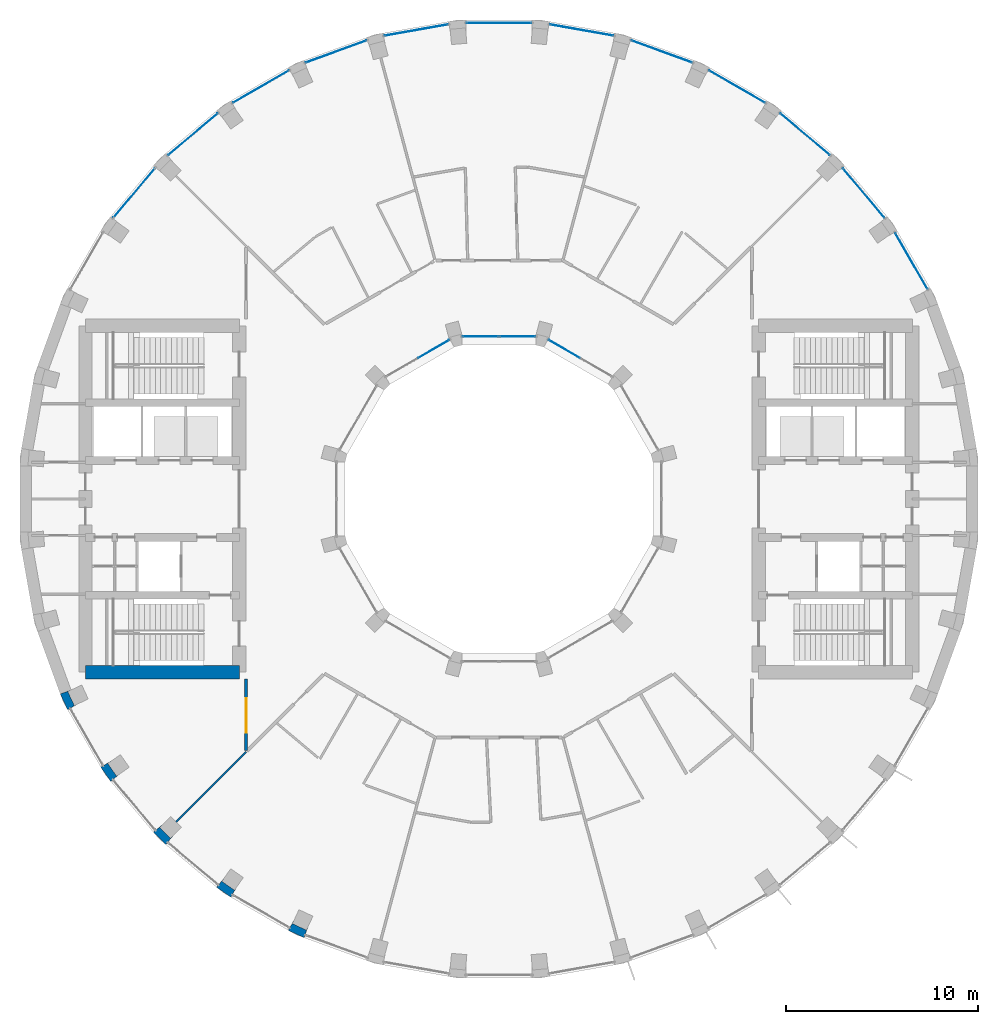
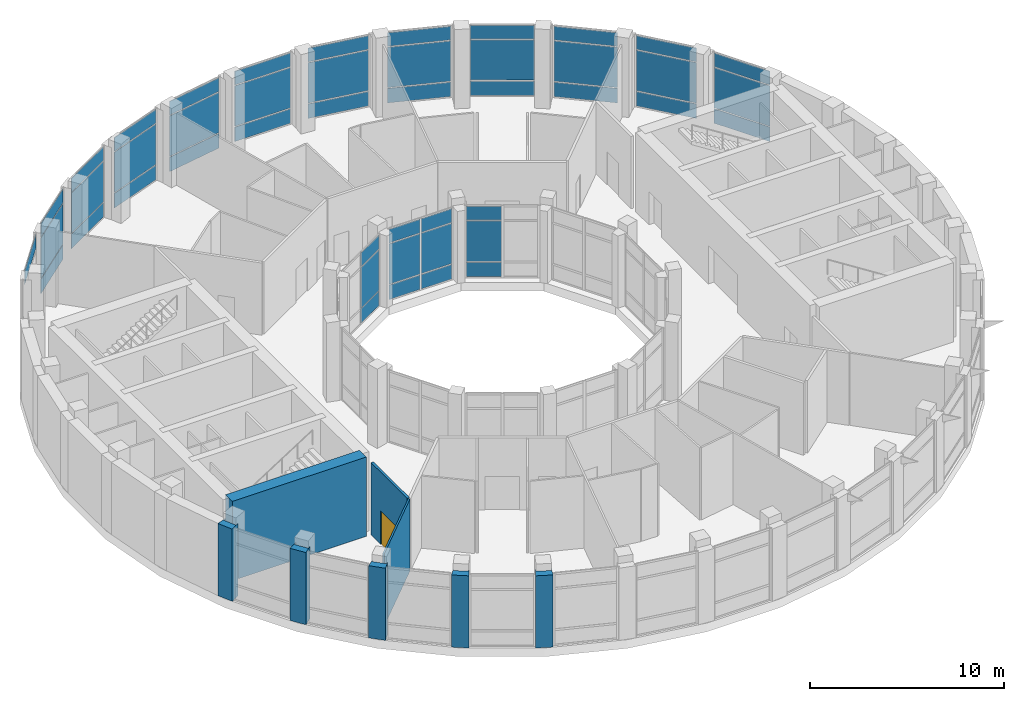
# One storey, part 10 of 18: 46 plates, 8 walls, 1 door, 1 opening, 15 elements without a shape of their own.
"""IFC4 building model written with IfcOpenShell, lengths in metres."""

from ifc_helpers import new_model, si_unit, direction, frame, frame_2d, origin, origin_2d, place, context, subcontext, project, spatial, polyline, rectangle, outline, extrude, material, layer, layer_set, type_object, element, fill, aggregate, save


model = new_model("IFC4")

# Units and contexts
model_context = context("Model", 3, precision=1e-05, world=origin(), true_north=direction((0.0, 1.0)))
body_context = subcontext(model_context, "Body", "Model", "MODEL_VIEW")
ifc_project = project(units=[si_unit("LENGTHUNIT", "METRE"), si_unit("AREAUNIT", "SQUARE_METRE"), si_unit("VOLUMEUNIT", "CUBIC_METRE"), si_unit("PLANEANGLEUNIT", "RADIAN"), si_unit("MASSUNIT", "GRAM", prefix="KILO")], contexts=[model_context])

# Site, building, storey
site_placement = place(None, origin())
site = spatial("IfcSite", under=ifc_project, at=site_placement, CompositionType="ELEMENT")
building_placement = place(site_placement, origin())
building = spatial("IfcBuilding", under=site, at=building_placement, Name="Saqina Gate Tower", CompositionType="ELEMENT")
storey_placement = place(building_placement, frame((0.0, 0.0, 155.800048828125)))
storey = spatial("IfcBuildingStorey", under=building, at=storey_placement, Name="L44", CompositionType="ELEMENT", Elevation=155.800048828125)

# Curtain wall, plates
ifc_material_1 = material(Name="Aluminium glazing", Category="aluminium")
ifc_layer_1 = layer(ifc_material_1, 0.159912109375)
ifc_layer_set_1 = layer_set([ifc_layer_1], Name="CWT-2")
curtain_wall_type_1 = type_object("IfcCurtainWallType", Name="CWT-2", PredefinedType="NOTDEFINED", material=ifc_layer_set_1)
curtain_wall_1_placement = place(storey_placement, origin())
curtain_wall_1 = element("IfcCurtainWall", 1, at=curtain_wall_1_placement, inside=storey, type_object=curtain_wall_type_1, Name="Sky lounge glazing facet 3", PredefinedType="NOTDEFINED")
ifc_material_2 = material(Name="Glass", Category="glass")
ifc_layer_2 = layer(ifc_material_2, 0.028076171875)
ifc_layer_set_2 = layer_set([ifc_layer_2], Name="CWT-2P")
plate_type_1 = type_object("IfcPlateType", Name="CWT-2P", PredefinedType="CURTAIN_PANEL", material=ifc_layer_set_2)
plate_1_placement = place(storey_placement, frame((21.438232421875, 12.37744140625, 0.06005859375), z_axis=(0.0, 0.0, 1.0), x_axis=(-0.500014364391, 0.866017110341, 0.0)))
plate_1 = element("IfcPlate", 2, at=plate_1_placement, type_object=plate_type_1, Name="CW2-03 panel 1.1", PredefinedType="CURTAIN_PANEL", context=body_context, shape_type="SweptSolid", body=[
    extrude(rectangle(XDim=3.32958984375, YDim=0.028076171875, at=origin_2d()), origin(), (0.0, 0.0, 1.0), 0.909912109375),
])
plate_2_placement = place(storey_placement, frame((21.438232421875, 12.37744140625, 1.030029296875), z_axis=(0.0, 0.0, 1.0), x_axis=(-0.500014364391, 0.866017110341, 0.0)))
plate_2 = element("IfcPlate", 3, at=plate_2_placement, type_object=plate_type_1, Name="CW2-03 panel 1.2", PredefinedType="CURTAIN_PANEL", context=body_context, shape_type="SweptSolid", body=[
    extrude(rectangle(XDim=3.32958984375, YDim=0.028076171875, at=origin_2d()), origin(), (0.0, 0.0, 1.0), 2.5400390625),
])
plate_3_placement = place(storey_placement, frame((21.438232421875, 12.37744140625, 3.6298828125), z_axis=(0.0, 0.0, 1.0), x_axis=(-0.500014364391, 0.866017110341, 0.0)))
plate_3 = element("IfcPlate", 4, at=plate_3_placement, type_object=plate_type_1, Name="CW2-03 panel 1.3", PredefinedType="CURTAIN_PANEL", context=body_context, shape_type="SweptSolid", body=[
    extrude(rectangle(XDim=3.32958984375, YDim=0.028076171875, at=origin_2d()), origin(), (0.0, 0.0, 1.0), 0.860107421875),
])
aggregate(curtain_wall_1, [plate_1, plate_2, plate_3])

curtain_wall_2_placement = place(storey_placement, origin())
curtain_wall_2 = element("IfcCurtainWall", 5, at=curtain_wall_2_placement, inside=storey, type_object=curtain_wall_type_1, Name="Sky lounge glazing facet 4", PredefinedType="NOTDEFINED")
plate_4_placement = place(storey_placement, frame((18.96337890625, 15.912109375, 0.06005859375), z_axis=(0.0, 0.0, 1.0), x_axis=(-0.642789549658, 0.766042815286, 0.0)))
plate_4 = element("IfcPlate", 6, at=plate_4_placement, type_object=plate_type_1, Name="CW2-04 panel 1.1", PredefinedType="CURTAIN_PANEL", context=body_context, shape_type="SweptSolid", body=[
    extrude(rectangle(XDim=3.329833984375, YDim=0.028076171875, at=origin_2d()), origin(), (0.0, 0.0, 1.0), 0.909912109375),
])
plate_5_placement = place(storey_placement, frame((18.96337890625, 15.912109375, 1.030029296875), z_axis=(0.0, 0.0, 1.0), x_axis=(-0.642789549658, 0.766042815286, 0.0)))
plate_5 = element("IfcPlate", 7, at=plate_5_placement, type_object=plate_type_1, Name="CW2-04 panel 1.2", PredefinedType="CURTAIN_PANEL", context=body_context, shape_type="SweptSolid", body=[
    extrude(rectangle(XDim=3.329833984375, YDim=0.028076171875, at=origin_2d()), origin(), (0.0, 0.0, 1.0), 2.5400390625),
])
plate_6_placement = place(storey_placement, frame((18.96337890625, 15.912109375, 3.6298828125), z_axis=(0.0, 0.0, 1.0), x_axis=(-0.642789549658, 0.766042815286, 0.0)))
plate_6 = element("IfcPlate", 8, at=plate_6_placement, type_object=plate_type_1, Name="CW2-04 panel 1.3", PredefinedType="CURTAIN_PANEL", context=body_context, shape_type="SweptSolid", body=[
    extrude(rectangle(XDim=3.329833984375, YDim=0.028076171875, at=origin_2d()), origin(), (0.0, 0.0, 1.0), 0.860107421875),
])
aggregate(curtain_wall_2, [plate_4, plate_5, plate_6])

curtain_wall_3_placement = place(storey_placement, origin())
curtain_wall_3 = element("IfcCurtainWall", 9, at=curtain_wall_3_placement, inside=storey, type_object=curtain_wall_type_1, Name="Sky lounge glazing facet 5", PredefinedType="NOTDEFINED")
plate_7_placement = place(storey_placement, frame((15.912109375, 18.96337890625, 0.06005859375), z_axis=(0.0, 0.0, 1.0), x_axis=(-0.766042815286, 0.642789549658, 0.0)))
plate_7 = element("IfcPlate", 10, at=plate_7_placement, type_object=plate_type_1, Name="CW2-05 panel 1.1", PredefinedType="CURTAIN_PANEL", context=body_context, shape_type="SweptSolid", body=[
    extrude(rectangle(XDim=3.329833984375, YDim=0.028076171875, at=origin_2d()), origin(), (0.0, 0.0, 1.0), 0.909912109375),
])
plate_8_placement = place(storey_placement, frame((15.912109375, 18.96337890625, 1.030029296875), z_axis=(0.0, 0.0, 1.0), x_axis=(-0.766042815286, 0.642789549658, 0.0)))
plate_8 = element("IfcPlate", 11, at=plate_8_placement, type_object=plate_type_1, Name="CW2-05 panel 1.2", PredefinedType="CURTAIN_PANEL", context=body_context, shape_type="SweptSolid", body=[
    extrude(rectangle(XDim=3.329833984375, YDim=0.028076171875, at=origin_2d()), origin(), (0.0, 0.0, 1.0), 2.5400390625),
])
plate_9_placement = place(storey_placement, frame((15.912109375, 18.96337890625, 3.6298828125), z_axis=(0.0, 0.0, 1.0), x_axis=(-0.766042815286, 0.642789549658, 0.0)))
plate_9 = element("IfcPlate", 12, at=plate_9_placement, type_object=plate_type_1, Name="CW2-05 panel 1.3", PredefinedType="CURTAIN_PANEL", context=body_context, shape_type="SweptSolid", body=[
    extrude(rectangle(XDim=3.329833984375, YDim=0.028076171875, at=origin_2d()), origin(), (0.0, 0.0, 1.0), 0.860107421875),
])
aggregate(curtain_wall_3, [plate_7, plate_8, plate_9])

curtain_wall_4_placement = place(storey_placement, origin())
curtain_wall_4 = element("IfcCurtainWall", 13, at=curtain_wall_4_placement, inside=storey, type_object=curtain_wall_type_1, Name="Sky lounge glazing facet 6", PredefinedType="NOTDEFINED")
plate_10_placement = place(storey_placement, frame((12.37744140625, 21.438232421875, 0.06005859375), z_axis=(0.0, 0.0, 1.0), x_axis=(-0.866017110341, 0.500014364391, 0.0)))
plate_10 = element("IfcPlate", 14, at=plate_10_placement, type_object=plate_type_1, Name="CW2-06 panel 1.1", PredefinedType="CURTAIN_PANEL", context=body_context, shape_type="SweptSolid", body=[
    extrude(rectangle(XDim=3.32958984375, YDim=0.028076171875, at=origin_2d()), origin(), (0.0, 0.0, 1.0), 0.909912109375),
])
plate_11_placement = place(storey_placement, frame((12.37744140625, 21.438232421875, 1.030029296875), z_axis=(0.0, 0.0, 1.0), x_axis=(-0.866017110341, 0.500014364391, 0.0)))
plate_11 = element("IfcPlate", 15, at=plate_11_placement, type_object=plate_type_1, Name="CW2-06 panel 1.2", PredefinedType="CURTAIN_PANEL", context=body_context, shape_type="SweptSolid", body=[
    extrude(rectangle(XDim=3.32958984375, YDim=0.028076171875, at=origin_2d()), origin(), (0.0, 0.0, 1.0), 2.5400390625),
])
plate_12_placement = place(storey_placement, frame((12.37744140625, 21.438232421875, 3.6298828125), z_axis=(0.0, 0.0, 1.0), x_axis=(-0.866017110341, 0.500014364391, 0.0)))
plate_12 = element("IfcPlate", 16, at=plate_12_placement, type_object=plate_type_1, Name="CW2-06 panel 1.3", PredefinedType="CURTAIN_PANEL", context=body_context, shape_type="SweptSolid", body=[
    extrude(rectangle(XDim=3.32958984375, YDim=0.028076171875, at=origin_2d()), origin(), (0.0, 0.0, 1.0), 0.860107421875),
])
aggregate(curtain_wall_4, [plate_10, plate_11, plate_12])

curtain_wall_5_placement = place(storey_placement, origin())
curtain_wall_5 = element("IfcCurtainWall", 17, at=curtain_wall_5_placement, inside=storey, type_object=curtain_wall_type_1, Name="Sky lounge glazing facet 7", PredefinedType="NOTDEFINED")
plate_13_placement = place(storey_placement, frame((8.466552734375, 23.261962890625, 0.06005859375), z_axis=(0.0, 0.0, 1.0), x_axis=(-0.939690972552, 0.342024671777, 0.0)))
plate_13 = element("IfcPlate", 18, at=plate_13_placement, type_object=plate_type_1, Name="CW2-07 panel 1.1", PredefinedType="CURTAIN_PANEL", context=body_context, shape_type="SweptSolid", body=[
    extrude(rectangle(XDim=3.329833984375, YDim=0.028076171875, at=origin_2d()), origin(), (0.0, 0.0, 1.0), 0.909912109375),
])
plate_14_placement = place(storey_placement, frame((8.466552734375, 23.261962890625, 1.030029296875), z_axis=(0.0, 0.0, 1.0), x_axis=(-0.939690972552, 0.342024671777, 0.0)))
plate_14 = element("IfcPlate", 19, at=plate_14_placement, type_object=plate_type_1, Name="CW2-07 panel 1.2", PredefinedType="CURTAIN_PANEL", context=body_context, shape_type="SweptSolid", body=[
    extrude(rectangle(XDim=3.329833984375, YDim=0.028076171875, at=origin_2d()), origin(), (0.0, 0.0, 1.0), 2.5400390625),
])
plate_15_placement = place(storey_placement, frame((8.466552734375, 23.261962890625, 3.6298828125), z_axis=(0.0, 0.0, 1.0), x_axis=(-0.939690972552, 0.342024671777, 0.0)))
plate_15 = element("IfcPlate", 20, at=plate_15_placement, type_object=plate_type_1, Name="CW2-07 panel 1.3", PredefinedType="CURTAIN_PANEL", context=body_context, shape_type="SweptSolid", body=[
    extrude(rectangle(XDim=3.329833984375, YDim=0.028076171875, at=origin_2d()), origin(), (0.0, 0.0, 1.0), 0.860107421875),
])
aggregate(curtain_wall_5, [plate_13, plate_14, plate_15])

curtain_wall_6_placement = place(storey_placement, origin())
curtain_wall_6 = element("IfcCurtainWall", 21, at=curtain_wall_6_placement, inside=storey, type_object=curtain_wall_type_1, Name="Sky lounge glazing facet 8", PredefinedType="NOTDEFINED")
plate_16_placement = place(storey_placement, frame((4.298583984375, 24.37890625, 0.06005859375), z_axis=(0.0, 0.0, 1.0), x_axis=(-0.984809520296, 0.173638154602, 0.0)))
plate_16 = element("IfcPlate", 22, at=plate_16_placement, type_object=plate_type_1, Name="CW2-08 panel 1.1", PredefinedType="CURTAIN_PANEL", context=body_context, shape_type="SweptSolid", body=[
    extrude(rectangle(XDim=3.32958984375, YDim=0.028076171875, at=origin_2d()), origin(), (0.0, 0.0, 1.0), 0.909912109375),
])
plate_17_placement = place(storey_placement, frame((4.298583984375, 24.37890625, 1.030029296875), z_axis=(0.0, 0.0, 1.0), x_axis=(-0.984809520296, 0.173638154602, 0.0)))
plate_17 = element("IfcPlate", 23, at=plate_17_placement, type_object=plate_type_1, Name="CW2-08 panel 1.2", PredefinedType="CURTAIN_PANEL", context=body_context, shape_type="SweptSolid", body=[
    extrude(rectangle(XDim=3.32958984375, YDim=0.028076171875, at=origin_2d()), origin(), (0.0, 0.0, 1.0), 2.5400390625),
])
plate_18_placement = place(storey_placement, frame((4.298583984375, 24.37890625, 3.6298828125), z_axis=(0.0, 0.0, 1.0), x_axis=(-0.984809520296, 0.173638154602, 0.0)))
plate_18 = element("IfcPlate", 24, at=plate_18_placement, type_object=plate_type_1, Name="CW2-08 panel 1.3", PredefinedType="CURTAIN_PANEL", context=body_context, shape_type="SweptSolid", body=[
    extrude(rectangle(XDim=3.32958984375, YDim=0.028076171875, at=origin_2d()), origin(), (0.0, 0.0, 1.0), 0.860107421875),
])
aggregate(curtain_wall_6, [plate_16, plate_17, plate_18])

curtain_wall_7_placement = place(storey_placement, origin())
curtain_wall_7 = element("IfcCurtainWall", 25, at=curtain_wall_7_placement, inside=storey, type_object=curtain_wall_type_1, Name="Sky lounge glazing facet 9", PredefinedType="NOTDEFINED")
plate_19_placement = place(storey_placement, frame((0.0, 24.7548828125, 0.06005859375), z_axis=(0.0, 0.0, 1.0), x_axis=(-1.0, 0.0, 0.0)))
plate_19 = element("IfcPlate", 26, at=plate_19_placement, type_object=plate_type_1, Name="CW2-09 panel 1.1", PredefinedType="CURTAIN_PANEL", context=body_context, shape_type="SweptSolid", body=[
    extrude(rectangle(XDim=3.329833984375, YDim=0.028076171875, at=origin_2d()), origin(), (0.0, 0.0, 1.0), 0.909912109375),
])
plate_20_placement = place(storey_placement, frame((0.0, 24.7548828125, 1.030029296875), z_axis=(0.0, 0.0, 1.0), x_axis=(-1.0, 0.0, 0.0)))
plate_20 = element("IfcPlate", 27, at=plate_20_placement, type_object=plate_type_1, Name="CW2-09 panel 1.2", PredefinedType="CURTAIN_PANEL", context=body_context, shape_type="SweptSolid", body=[
    extrude(rectangle(XDim=3.329833984375, YDim=0.028076171875, at=origin_2d()), origin(), (0.0, 0.0, 1.0), 2.5400390625),
])
plate_21_placement = place(storey_placement, frame((0.0, 24.7548828125, 3.6298828125), z_axis=(0.0, 0.0, 1.0), x_axis=(-1.0, 0.0, 0.0)))
plate_21 = element("IfcPlate", 28, at=plate_21_placement, type_object=plate_type_1, Name="CW2-09 panel 1.3", PredefinedType="CURTAIN_PANEL", context=body_context, shape_type="SweptSolid", body=[
    extrude(rectangle(XDim=3.329833984375, YDim=0.028076171875, at=origin_2d()), origin(), (0.0, 0.0, 1.0), 0.860107421875),
])
aggregate(curtain_wall_7, [plate_19, plate_20, plate_21])

curtain_wall_8_placement = place(storey_placement, origin())
curtain_wall_8 = element("IfcCurtainWall", 29, at=curtain_wall_8_placement, inside=storey, type_object=curtain_wall_type_1, Name="Sky lounge glazing facet 10", PredefinedType="NOTDEFINED")
plate_22_placement = place(storey_placement, frame((-4.298583984375, 24.37890625, 0.06005859375), z_axis=(0.0, 0.0, 1.0), x_axis=(-0.984809520296, -0.173638154602, 0.0)))
plate_22 = element("IfcPlate", 30, at=plate_22_placement, type_object=plate_type_1, Name="CW2-10 panel 1.1", PredefinedType="CURTAIN_PANEL", context=body_context, shape_type="SweptSolid", body=[
    extrude(rectangle(XDim=3.32958984375, YDim=0.028076171875, at=origin_2d()), origin(), (0.0, 0.0, 1.0), 0.909912109375),
])
plate_23_placement = place(storey_placement, frame((-4.298583984375, 24.37890625, 1.030029296875), z_axis=(0.0, 0.0, 1.0), x_axis=(-0.984809520296, -0.173638154602, 0.0)))
plate_23 = element("IfcPlate", 31, at=plate_23_placement, type_object=plate_type_1, Name="CW2-10 panel 1.2", PredefinedType="CURTAIN_PANEL", context=body_context, shape_type="SweptSolid", body=[
    extrude(rectangle(XDim=3.32958984375, YDim=0.028076171875, at=origin_2d()), origin(), (0.0, 0.0, 1.0), 2.5400390625),
])
plate_24_placement = place(storey_placement, frame((-4.298583984375, 24.37890625, 3.6298828125), z_axis=(0.0, 0.0, 1.0), x_axis=(-0.984809520296, -0.173638154602, 0.0)))
plate_24 = element("IfcPlate", 32, at=plate_24_placement, type_object=plate_type_1, Name="CW2-10 panel 1.3", PredefinedType="CURTAIN_PANEL", context=body_context, shape_type="SweptSolid", body=[
    extrude(rectangle(XDim=3.32958984375, YDim=0.028076171875, at=origin_2d()), origin(), (0.0, 0.0, 1.0), 0.860107421875),
])
aggregate(curtain_wall_8, [plate_22, plate_23, plate_24])

curtain_wall_9_placement = place(storey_placement, origin())
curtain_wall_9 = element("IfcCurtainWall", 33, at=curtain_wall_9_placement, inside=storey, type_object=curtain_wall_type_1, Name="Sky lounge glazing facet 11", PredefinedType="NOTDEFINED")
plate_25_placement = place(storey_placement, frame((-8.466552734375, 23.261962890625, 0.06005859375), z_axis=(0.0, 0.0, 1.0), x_axis=(-0.939690972552, -0.342024671777, 0.0)))
plate_25 = element("IfcPlate", 34, at=plate_25_placement, type_object=plate_type_1, Name="CW2-11 panel 1.1", PredefinedType="CURTAIN_PANEL", context=body_context, shape_type="SweptSolid", body=[
    extrude(rectangle(XDim=3.329833984375, YDim=0.028076171875, at=origin_2d()), origin(), (0.0, 0.0, 1.0), 0.909912109375),
])
plate_26_placement = place(storey_placement, frame((-8.466552734375, 23.261962890625, 1.030029296875), z_axis=(0.0, 0.0, 1.0), x_axis=(-0.939690972552, -0.342024671777, 0.0)))
plate_26 = element("IfcPlate", 35, at=plate_26_placement, type_object=plate_type_1, Name="CW2-11 panel 1.2", PredefinedType="CURTAIN_PANEL", context=body_context, shape_type="SweptSolid", body=[
    extrude(rectangle(XDim=3.329833984375, YDim=0.028076171875, at=origin_2d()), origin(), (0.0, 0.0, 1.0), 2.5400390625),
])
plate_27_placement = place(storey_placement, frame((-8.466552734375, 23.261962890625, 3.6298828125), z_axis=(0.0, 0.0, 1.0), x_axis=(-0.939690972552, -0.342024671777, 0.0)))
plate_27 = element("IfcPlate", 36, at=plate_27_placement, type_object=plate_type_1, Name="CW2-11 panel 1.3", PredefinedType="CURTAIN_PANEL", context=body_context, shape_type="SweptSolid", body=[
    extrude(rectangle(XDim=3.329833984375, YDim=0.028076171875, at=origin_2d()), origin(), (0.0, 0.0, 1.0), 0.860107421875),
])
aggregate(curtain_wall_9, [plate_25, plate_26, plate_27])

curtain_wall_10_placement = place(storey_placement, origin())
curtain_wall_10 = element("IfcCurtainWall", 37, at=curtain_wall_10_placement, inside=storey, type_object=curtain_wall_type_1, Name="Sky lounge glazing facet 12", PredefinedType="NOTDEFINED")
plate_28_placement = place(storey_placement, frame((-12.37744140625, 21.438232421875, 0.06005859375), z_axis=(0.0, 0.0, 1.0), x_axis=(-0.866017110341, -0.500014364391, 0.0)))
plate_28 = element("IfcPlate", 38, at=plate_28_placement, type_object=plate_type_1, Name="CW2-12 panel 1.1", PredefinedType="CURTAIN_PANEL", context=body_context, shape_type="SweptSolid", body=[
    extrude(rectangle(XDim=3.32958984375, YDim=0.028076171875, at=origin_2d()), origin(), (0.0, 0.0, 1.0), 0.909912109375),
])
plate_29_placement = place(storey_placement, frame((-12.37744140625, 21.438232421875, 1.030029296875), z_axis=(0.0, 0.0, 1.0), x_axis=(-0.866017110341, -0.500014364391, 0.0)))
plate_29 = element("IfcPlate", 39, at=plate_29_placement, type_object=plate_type_1, Name="CW2-12 panel 1.2", PredefinedType="CURTAIN_PANEL", context=body_context, shape_type="SweptSolid", body=[
    extrude(rectangle(XDim=3.32958984375, YDim=0.028076171875, at=origin_2d()), origin(), (0.0, 0.0, 1.0), 2.5400390625),
])
plate_30_placement = place(storey_placement, frame((-12.37744140625, 21.438232421875, 3.6298828125), z_axis=(0.0, 0.0, 1.0), x_axis=(-0.866017110341, -0.500014364391, 0.0)))
plate_30 = element("IfcPlate", 40, at=plate_30_placement, type_object=plate_type_1, Name="CW2-12 panel 1.3", PredefinedType="CURTAIN_PANEL", context=body_context, shape_type="SweptSolid", body=[
    extrude(rectangle(XDim=3.32958984375, YDim=0.028076171875, at=origin_2d()), origin(), (0.0, 0.0, 1.0), 0.860107421875),
])
aggregate(curtain_wall_10, [plate_28, plate_29, plate_30])

curtain_wall_11_placement = place(storey_placement, origin())
curtain_wall_11 = element("IfcCurtainWall", 41, at=curtain_wall_11_placement, inside=storey, type_object=curtain_wall_type_1, Name="Sky lounge glazing facet 13", PredefinedType="NOTDEFINED")
plate_31_placement = place(storey_placement, frame((-15.912109375, 18.96337890625, 0.06005859375), z_axis=(0.0, 0.0, 1.0), x_axis=(-0.766042815286, -0.642789549658, 0.0)))
plate_31 = element("IfcPlate", 42, at=plate_31_placement, type_object=plate_type_1, Name="CW2-13 panel 1.1", PredefinedType="CURTAIN_PANEL", context=body_context, shape_type="SweptSolid", body=[
    extrude(rectangle(XDim=3.329833984375, YDim=0.028076171875, at=origin_2d()), origin(), (0.0, 0.0, 1.0), 0.909912109375),
])
plate_32_placement = place(storey_placement, frame((-15.912109375, 18.96337890625, 1.030029296875), z_axis=(0.0, 0.0, 1.0), x_axis=(-0.766042815286, -0.642789549658, 0.0)))
plate_32 = element("IfcPlate", 43, at=plate_32_placement, type_object=plate_type_1, Name="CW2-13 panel 1.2", PredefinedType="CURTAIN_PANEL", context=body_context, shape_type="SweptSolid", body=[
    extrude(rectangle(XDim=3.329833984375, YDim=0.028076171875, at=origin_2d()), origin(), (0.0, 0.0, 1.0), 2.5400390625),
])
plate_33_placement = place(storey_placement, frame((-15.912109375, 18.96337890625, 3.6298828125), z_axis=(0.0, 0.0, 1.0), x_axis=(-0.766042815286, -0.642789549658, 0.0)))
plate_33 = element("IfcPlate", 44, at=plate_33_placement, type_object=plate_type_1, Name="CW2-13 panel 1.3", PredefinedType="CURTAIN_PANEL", context=body_context, shape_type="SweptSolid", body=[
    extrude(rectangle(XDim=3.329833984375, YDim=0.028076171875, at=origin_2d()), origin(), (0.0, 0.0, 1.0), 0.860107421875),
])
aggregate(curtain_wall_11, [plate_31, plate_32, plate_33])

# Curtain wall, plate
curtain_wall_12_placement = place(storey_placement, origin())
curtain_wall_12 = element("IfcCurtainWall", 45, at=curtain_wall_12_placement, inside=storey, type_object=curtain_wall_type_1, Name="Sky lounge glazing facet 14", PredefinedType="NOTDEFINED")
plate_34_placement = place(storey_placement, frame((-18.96337890625, 15.912109375, 3.6298828125), z_axis=(0.0, 0.0, 1.0), x_axis=(-0.642789549658, -0.766042815286, 0.0)))
plate_34 = element("IfcPlate", 46, at=plate_34_placement, type_object=plate_type_1, Name="CW2-14 panel 1.3", PredefinedType="CURTAIN_PANEL", context=body_context, shape_type="SweptSolid", body=[
    extrude(rectangle(XDim=3.329833984375, YDim=0.028076171875, at=origin_2d()), origin(), (0.0, 0.0, 1.0), 0.860107421875),
])
aggregate(curtain_wall_12, [plate_34])

# Curtain wall, plates
ifc_material_3 = material(Name="Aluminium glazing", Category="aluminium")
ifc_layer_3 = layer(ifc_material_3, 0.159912109375)
ifc_layer_set_3 = layer_set([ifc_layer_3], Name="CWT-3")
curtain_wall_type_2 = type_object("IfcCurtainWallType", Name="CWT-3", PredefinedType="NOTDEFINED", material=ifc_layer_set_3)
curtain_wall_13_placement = place(storey_placement, origin())
curtain_wall_13 = element("IfcCurtainWall", 47, at=curtain_wall_13_placement, inside=storey, type_object=curtain_wall_type_2, Name="Sky lounge well glazing L44 facet 2", PredefinedType="NOTDEFINED")
ifc_material_4 = material(Name="Glass", Category="glass")
ifc_layer_4 = layer(ifc_material_4, 0.028076171875)
ifc_layer_set_4 = layer_set([ifc_layer_4], Name="CWT-3P")
plate_type_2 = type_object("IfcPlateType", Name="CWT-3P", PredefinedType="CURTAIN_PANEL", material=ifc_layer_set_4)
plate_35_placement = place(storey_placement, frame((3.400146484375, 7.794189453125, 0.06005859375), z_axis=(0.0, 0.0, 1.0), x_axis=(-0.866017760546, 0.500013238243, 0.0)))
plate_35 = element("IfcPlate", 48, at=plate_35_placement, type_object=plate_type_2, Name="CW3-02 panel 2.1", PredefinedType="CURTAIN_PANEL", context=body_context, shape_type="SweptSolid", body=[
    extrude(rectangle(XDim=1.844970703125, YDim=0.028076171875, at=origin_2d()), origin(), (0.0, 0.0, 1.0), 0.909912109375),
])
plate_36_placement = place(storey_placement, frame((3.400146484375, 7.794189453125, 1.030029296875), z_axis=(0.0, 0.0, 1.0), x_axis=(-0.866017760546, 0.500013238243, 0.0)))
plate_36 = element("IfcPlate", 49, at=plate_36_placement, type_object=plate_type_2, Name="CW3-02 panel 2.2", PredefinedType="CURTAIN_PANEL", context=body_context, shape_type="SweptSolid", body=[
    extrude(rectangle(XDim=1.844970703125, YDim=0.028076171875, at=origin_2d()), origin(), (0.0, 0.0, 1.0), 2.5400390625),
])
plate_37_placement = place(storey_placement, frame((3.400146484375, 7.794189453125, 3.6298828125), z_axis=(0.0, 0.0, 1.0), x_axis=(-0.866017760546, 0.500013238243, 0.0)))
plate_37 = element("IfcPlate", 50, at=plate_37_placement, type_object=plate_type_2, Name="CW3-02 panel 2.3", PredefinedType="CURTAIN_PANEL", context=body_context, shape_type="SweptSolid", body=[
    extrude(rectangle(XDim=1.844970703125, YDim=0.028076171875, at=origin_2d()), origin(), (0.0, 0.0, 1.0), 0.860107421875),
])
aggregate(curtain_wall_13, [plate_35, plate_36, plate_37])

curtain_wall_14_placement = place(storey_placement, origin())
curtain_wall_14 = element("IfcCurtainWall", 51, at=curtain_wall_14_placement, inside=storey, type_object=curtain_wall_type_2, Name="Sky lounge well glazing L44 facet 3", PredefinedType="NOTDEFINED")
plate_38_placement = place(storey_placement, frame((0.952392578125, 8.449951171875, 0.06005859375), z_axis=(0.0, 0.0, 1.0), x_axis=(-1.0, 0.0, 0.0)))
plate_38 = element("IfcPlate", 52, at=plate_38_placement, type_object=plate_type_2, Name="CW3-03 panel 1.1", PredefinedType="CURTAIN_PANEL", context=body_context, shape_type="SweptSolid", body=[
    extrude(rectangle(XDim=1.844970703125, YDim=0.028076171875, at=origin_2d()), origin(), (0.0, 0.0, 1.0), 0.909912109375),
])
plate_39_placement = place(storey_placement, frame((0.952392578125, 8.449951171875, 1.030029296875), z_axis=(0.0, 0.0, 1.0), x_axis=(-1.0, 0.0, 0.0)))
plate_39 = element("IfcPlate", 53, at=plate_39_placement, type_object=plate_type_2, Name="CW3-03 panel 1.2", PredefinedType="CURTAIN_PANEL", context=body_context, shape_type="SweptSolid", body=[
    extrude(rectangle(XDim=1.844970703125, YDim=0.028076171875, at=origin_2d()), origin(), (0.0, 0.0, 1.0), 2.5400390625),
])
plate_40_placement = place(storey_placement, frame((0.952392578125, 8.449951171875, 3.6298828125), z_axis=(0.0, 0.0, 1.0), x_axis=(-1.0, 0.0, 0.0)))
plate_40 = element("IfcPlate", 54, at=plate_40_placement, type_object=plate_type_2, Name="CW3-03 panel 1.3", PredefinedType="CURTAIN_PANEL", context=body_context, shape_type="SweptSolid", body=[
    extrude(rectangle(XDim=1.844970703125, YDim=0.028076171875, at=origin_2d()), origin(), (0.0, 0.0, 1.0), 0.860107421875),
])
plate_41_placement = place(storey_placement, frame((-0.952392578125, 8.449951171875, 0.06005859375), z_axis=(0.0, 0.0, 1.0), x_axis=(-1.0, 0.0, 0.0)))
plate_41 = element("IfcPlate", 55, at=plate_41_placement, type_object=plate_type_2, Name="CW3-03 panel 2.1", PredefinedType="CURTAIN_PANEL", context=body_context, shape_type="SweptSolid", body=[
    extrude(rectangle(XDim=1.844970703125, YDim=0.028076171875, at=origin_2d()), origin(), (0.0, 0.0, 1.0), 0.909912109375),
])
plate_42_placement = place(storey_placement, frame((-0.952392578125, 8.449951171875, 1.030029296875), z_axis=(0.0, 0.0, 1.0), x_axis=(-1.0, 0.0, 0.0)))
plate_42 = element("IfcPlate", 56, at=plate_42_placement, type_object=plate_type_2, Name="CW3-03 panel 2.2", PredefinedType="CURTAIN_PANEL", context=body_context, shape_type="SweptSolid", body=[
    extrude(rectangle(XDim=1.844970703125, YDim=0.028076171875, at=origin_2d()), origin(), (0.0, 0.0, 1.0), 2.5400390625),
])
plate_43_placement = place(storey_placement, frame((-0.952392578125, 8.449951171875, 3.6298828125), z_axis=(0.0, 0.0, 1.0), x_axis=(-1.0, 0.0, 0.0)))
plate_43 = element("IfcPlate", 57, at=plate_43_placement, type_object=plate_type_2, Name="CW3-03 panel 2.3", PredefinedType="CURTAIN_PANEL", context=body_context, shape_type="SweptSolid", body=[
    extrude(rectangle(XDim=1.844970703125, YDim=0.028076171875, at=origin_2d()), origin(), (0.0, 0.0, 1.0), 0.860107421875),
])
aggregate(curtain_wall_14, [plate_38, plate_39, plate_40, plate_41, plate_42, plate_43])

curtain_wall_15_placement = place(storey_placement, origin())
curtain_wall_15 = element("IfcCurtainWall", 58, at=curtain_wall_15_placement, inside=storey, type_object=curtain_wall_type_2, Name="Sky lounge well glazing L44 facet 4", PredefinedType="NOTDEFINED")
plate_44_placement = place(storey_placement, frame((-3.400146484375, 7.794189453125, 0.06005859375), z_axis=(0.0, 0.0, 1.0), x_axis=(-0.866017760546, -0.500013238243, 0.0)))
plate_44 = element("IfcPlate", 59, at=plate_44_placement, type_object=plate_type_2, Name="CW3-04 panel 1.1", PredefinedType="CURTAIN_PANEL", context=body_context, shape_type="SweptSolid", body=[
    extrude(rectangle(XDim=1.844970703125, YDim=0.028076171875, at=origin_2d()), origin(), (0.0, 0.0, 1.0), 0.909912109375),
])
plate_45_placement = place(storey_placement, frame((-3.400146484375, 7.794189453125, 1.030029296875), z_axis=(0.0, 0.0, 1.0), x_axis=(-0.866017760546, -0.500013238243, 0.0)))
plate_45 = element("IfcPlate", 60, at=plate_45_placement, type_object=plate_type_2, Name="CW3-04 panel 1.2", PredefinedType="CURTAIN_PANEL", context=body_context, shape_type="SweptSolid", body=[
    extrude(rectangle(XDim=1.844970703125, YDim=0.028076171875, at=origin_2d()), origin(), (0.0, 0.0, 1.0), 2.5400390625),
])
plate_46_placement = place(storey_placement, frame((-3.400146484375, 7.794189453125, 3.6298828125), z_axis=(0.0, 0.0, 1.0), x_axis=(-0.866017760546, -0.500013238243, 0.0)))
plate_46 = element("IfcPlate", 61, at=plate_46_placement, type_object=plate_type_2, Name="CW3-04 panel 1.3", PredefinedType="CURTAIN_PANEL", context=body_context, shape_type="SweptSolid", body=[
    extrude(rectangle(XDim=1.844970703125, YDim=0.028076171875, at=origin_2d()), origin(), (0.0, 0.0, 1.0), 0.860107421875),
])
aggregate(curtain_wall_15, [plate_44, plate_45, plate_46])

# Walls
ifc_material_5 = material(Name="Brick masonry (buff)", Category="masonry")
wall_type_1 = type_object("IfcWallType", Name="BRICK PIER COPING BUFF", PredefinedType="SOLIDWALL", material=ifc_material_5)
wall_1_placement = place(storey_placement, origin())
element("IfcWall", 62, at=wall_1_placement, inside=storey, type_object=wall_type_1, Name="Pier cap L44 column 21", PredefinedType="SOLIDWALL", context=body_context, shape_type="SweptSolid", body=[
    extrude(outline(polyline([(-22.4306640625, -10.958740234375), (-21.9111328125, -10.65869140625), (-22.080810546875, -10.73779296875), (-22.4189453125, -10.0126953125), (-22.249267578125, -9.93359375), (-22.81298828125, -10.138916015625), (-22.4306640625, -10.958740234375)])), origin(), (0.0, 0.0, 1.0), 4.550048828125),
])
wall_2_placement = place(storey_placement, origin())
element("IfcWall", 63, at=wall_2_placement, inside=storey, type_object=wall_type_1, Name="Pier cap L44 column 22", PredefinedType="SOLIDWALL", context=body_context, shape_type="SweptSolid", body=[
    extrude(outline(polyline([(-20.705810546875, -13.9462890625), (-20.18701171875, -14.687255859375), (-19.727294921875, -14.301513671875), (-19.880859375, -14.408935546875), (-20.339599609375, -13.753662109375), (-20.186279296875, -13.646240234375), (-20.705810546875, -13.9462890625)])), origin(), (0.0, 0.0, 1.0), 4.550048828125),
])
wall_3_placement = place(storey_placement, origin())
element("IfcWall", 64, at=wall_3_placement, inside=storey, type_object=wall_type_1, Name="Pier cap L44 column 23", PredefinedType="SOLIDWALL", context=body_context, shape_type="SweptSolid", body=[
    extrude(outline(polyline([(-17.329833984375, -17.969482421875), (-16.944091796875, -17.510009765625), (-17.07666015625, -17.642333984375), (-17.642333984375, -17.07666015625), (-17.510009765625, -16.944091796875), (-17.969482421875, -17.329833984375), (-17.329833984375, -17.969482421875)])), origin(), (0.0, 0.0, 1.0), 4.550048828125),
])
wall_4_placement = place(storey_placement, origin())
element("IfcWall", 65, at=wall_4_placement, inside=storey, type_object=wall_type_1, Name="Pier cap L44 column 24", PredefinedType="SOLIDWALL", context=body_context, shape_type="SweptSolid", body=[
    extrude(outline(polyline([(-14.687255859375, -20.18701171875), (-13.9462890625, -20.705810546875), (-13.646240234375, -20.186279296875), (-13.753662109375, -20.339599609375), (-14.408935546875, -19.880859375), (-14.301513671875, -19.727294921875), (-14.687255859375, -20.18701171875)])), origin(), (0.0, 0.0, 1.0), 4.550048828125),
])
wall_5_placement = place(storey_placement, origin())
element("IfcWall", 66, at=wall_5_placement, inside=storey, type_object=wall_type_1, Name="Pier cap L44 column 25", PredefinedType="SOLIDWALL", context=body_context, shape_type="SweptSolid", body=[
    extrude(outline(polyline([(-10.138916015625, -22.81298828125), (-9.93359375, -22.249267578125), (-10.0126953125, -22.4189453125), (-10.73779296875, -22.080810546875), (-10.65869140625, -21.9111328125), (-10.958740234375, -22.4306640625), (-10.138916015625, -22.81298828125)])), origin(), (0.0, 0.0, 1.0), 4.550048828125),
])
ifc_material_6 = material(Name="Gypsum board on steel studs, 100 mm", Category="steel")
ifc_layer_5 = layer(ifc_material_6, 0.10009765625)
ifc_layer_set_5 = layer_set([ifc_layer_5], Name="SPECIAL PARTITION 100")
wall_type_2 = type_object("IfcWallType", Name="SPECIAL PARTITION 100", PredefinedType="PARTITIONING", material=ifc_layer_set_5)
wall_6_placement = place(storey_placement, frame((-16.78662109375, -16.78662109375, 0.0), z_axis=(0.0, 0.0, 1.0), x_axis=(0.707106781187, 0.707106781187, 0.0)))
element("IfcWall", 67, at=wall_6_placement, inside=storey, type_object=wall_type_2, Name="PARTITION 036", PredefinedType="PARTITIONING", context=body_context, shape_type="SweptSolid", body=[
    extrude(rectangle(XDim=5.14306640625, YDim=0.10009765625, at=frame_2d((2.571533203125, 0.0))), origin(), (0.0, 0.0, 1.0), 4.550048828125),
])

# Wall, opening, door
ifc_material_7 = material(Name="Gypsum board on steel studs, 150 mm, fire rated", Category="steel")
ifc_layer_6 = layer(ifc_material_7, 0.14990234375)
ifc_layer_set_6 = layer_set([ifc_layer_6], Name="SPECIAL PARTITION EI 30 150")
wall_type_3 = type_object("IfcWallType", Name="SPECIAL PARTITION EI 30 150", PredefinedType="PARTITIONING", material=ifc_layer_set_6)
wall_7_placement = place(storey_placement, frame((-13.14990234375, -13.074951171875, 0.0), z_axis=(0.0, 0.0, 1.0), x_axis=(0.0, 1.0, 0.0)))
wall_7 = element("IfcWall", 68, at=wall_7_placement, inside=storey, type_object=wall_type_3, Name="PARTITION 048", PredefinedType="PARTITIONING", context=body_context, shape_type="SweptSolid", body=[
    extrude(rectangle(XDim=3.724853515625, YDim=0.14990234375, at=frame_2d((1.8623046875, 0.0))), origin(), (0.0, 0.0, 1.0), 4.550048828125),
])
opening_placement = place(wall_7_placement, frame((0.925048828125, 0.0, 0.0)))
opening = element("IfcOpeningElement", 69, at=opening_placement, cuts=wall_7, Name="Opening L44-D13", PredefinedType="OPENING", context=body_context, shape_type="SweptSolid", body=[
    extrude(rectangle(XDim=1.800048828125, YDim=2.10009765625, at=frame_2d((0.89990234375, 1.050048828125))), frame((0.0, 0.0869140625, 0.0), z_axis=(0.0, -1.0, 0.0), x_axis=(1.0, 0.0, 0.0)), (0.0, 0.0, 1.0), 0.173828125),
])
ifc_material_8 = material(Name="Steel-framed fire door leaf, EI 30", Category="steel")
door_type = type_object("IfcDoorType", Name="SPECIAL DOUBLE DOOR 1800 FIRE EI 30", OperationType="DOUBLE_DOOR_SINGLE_SWING", PredefinedType="DOOR", material=ifc_material_8)
door_placement = place(opening_placement, origin())
door = element("IfcDoor", 70, at=door_placement, inside=storey, type_object=door_type, Name="DOOR L44-D13", OperationType="DOUBLE_DOOR_SINGLE_SWING", OverallHeight=2.10009765625, OverallWidth=1.800048828125, PredefinedType="DOOR", context=body_context, shape_type="SweptSolid", body=[
    extrude(rectangle(XDim=1.800048828125, YDim=2.10009765625, at=frame_2d((0.89990234375, 1.050048828125))), frame((0.0, 0.02490234375, 0.0), z_axis=(0.0, -1.0, 0.0), x_axis=(1.0, 0.0, 0.0)), (0.0, 0.0, 1.0), 0.050048828125),
])
fill(opening, door)

# Wall
ifc_material_9 = material(Name="Concrete C60/75", Category="concrete")
ifc_layer_7 = layer(ifc_material_9, 0.699951171875)
ifc_layer_set_7 = layer_set([ifc_layer_7], Name="Concrete C60/75")
wall_type_4 = type_object("IfcWallType", Name="STR-CORE WALL-C-O", PredefinedType="SHEAR", material=ifc_layer_set_7)
wall_8_placement = place(storey_placement, frame((-13.5, -9.0, 0.0), z_axis=(0.0, 0.0, 1.0), x_axis=(-1.0, 0.0, 0.0)))
element("IfcWall", 71, at=wall_8_placement, inside=storey, type_object=wall_type_4, Name="CORE WALL L44 W-SE", PredefinedType="SHEAR", context=body_context, shape_type="SweptSolid", body=[
    extrude(rectangle(XDim=8.0, YDim=0.699951171875, at=frame_2d((4.0, 0.0))), origin(), (0.0, 0.0, 1.0), 5.0),
])

save(model, "model.ifc")
